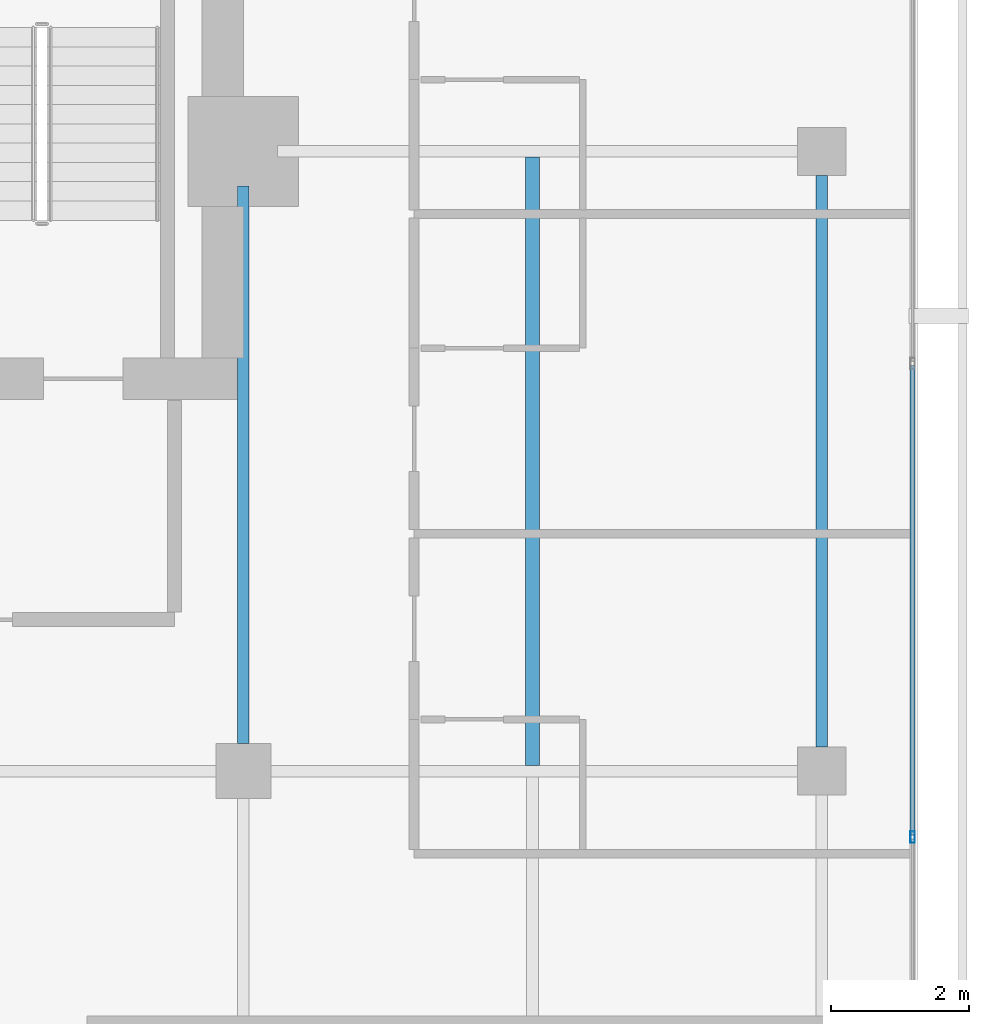
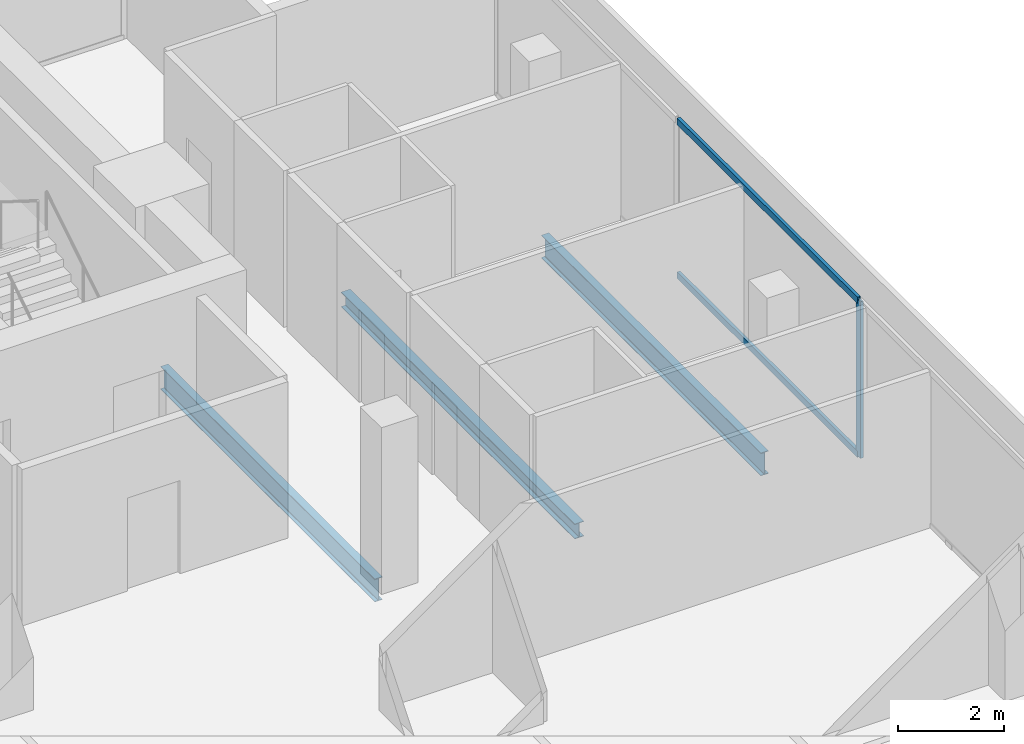
# One storey, part 15 of 26: 3 beams, 3 members, 1 element without a shape of its own.
"""IFC4 building model written with IfcOpenShell, lengths in metres."""

from ifc_helpers import new_model, si_unit, direction, frame, origin, origin_2d, place, context, subcontext, project, spatial, hollow_rectangle, i_section, extrude, material, layer, layer_set, material_profile, profile_set, type_object, element, aggregate, save


model = new_model("IFC4")

# Units and contexts
model_context = context("Model", 3, precision=1e-05, world=origin(), true_north=direction((0.0, 1.0)))
body_context = subcontext(model_context, "Body", "Model", "MODEL_VIEW")
ifc_project = project(units=[si_unit("LENGTHUNIT", "METRE"), si_unit("AREAUNIT", "SQUARE_METRE"), si_unit("VOLUMEUNIT", "CUBIC_METRE"), si_unit("PLANEANGLEUNIT", "RADIAN"), si_unit("MASSUNIT", "GRAM", prefix="KILO")], contexts=[model_context])

# Site, building, storey
site_placement = place(None, origin())
site = spatial("IfcSite", under=ifc_project, at=site_placement, CompositionType="ELEMENT")
building_placement = place(site_placement, origin())
building = spatial("IfcBuilding", under=site, at=building_placement, Name="Maruvema Waterfront Hotel and Observation Tower", CompositionType="ELEMENT")
storey_placement = place(building_placement, frame((0.0, 0.0, 293.300048828125)))
storey = spatial("IfcBuildingStorey", under=building, at=storey_placement, Name="L72", CompositionType="ELEMENT", Elevation=293.300048828125)

# Curtain wall, members
ifc_material_1 = material(Name="Anodised bronze aluminium and solar-control low-E IGU", Category="aluminium")
ifc_layer = layer(ifc_material_1, 0.159912109375, Name="Zone 3 Champagne Inner Thermal Curtain Wall System CW-04")
ifc_layer_set = layer_set([ifc_layer], Name="Anodised bronze aluminium and solar-control low-E IGU")
curtain_wall_type = type_object("IfcCurtainWallType", Name="Zone 3 Champagne Inner Thermal Curtain Wall System CW-04", PredefinedType="USERDEFINED", material=ifc_layer_set)
curtain_wall_placement = place(storey_placement, origin())
curtain_wall = element("IfcCurtainWall", 1, at=curtain_wall_placement, inside=storey, type_object=curtain_wall_type, Name="L72 Curtain Wall CW-L72-E", ObjectType="UNITISED CURTAIN WALL", PredefinedType="USERDEFINED")
ifc_material_2 = material(Name="Anodised architectural bronze aluminium", Category="aluminium")
ifc_material_profile_1 = material_profile(ifc_material_2, hollow_rectangle(XDim=0.070068359375, YDim=0.14990234375, WallThickness=0.00390625, at=origin_2d()), Name="ALU-T70x150")
ifc_profile_set_1 = profile_set([ifc_material_profile_1], Name="Anodised architectural bronze aluminium")
member_type_1 = type_object("IfcMemberType", Name="Curtain Wall Horizontal Transom ALU-T70x150", PredefinedType="USERDEFINED", material=ifc_profile_set_1)
member_1_placement = place(storey_placement, frame((60.1201171875, 35.070068359375, 0.030029296875), z_axis=(0.0, 1.0, 0.0), x_axis=(-1.0, 0.0, 0.0)))
member_1 = element("IfcMember", 2, at=member_1_placement, type_object=member_type_1, Name="CW-04 transom 4.1", ObjectType="TRANSOM", PredefinedType="USERDEFINED", context=body_context, shape_type="SweptSolid", body=[
    extrude(hollow_rectangle(XDim=0.070068359375, YDim=0.14990234375, WallThickness=0.00390625, at=origin_2d()), origin(), (0.0, 0.0, 1.0), 6.81982421875),
])
member_2_placement = place(storey_placement, frame((60.1201171875, 35.070068359375, 3.579833984375), z_axis=(0.0, 1.0, 0.0), x_axis=(-1.0, 0.0, 0.0)))
member_2 = element("IfcMember", 3, at=member_2_placement, type_object=member_type_1, Name="CW-04 transom 4.2", ObjectType="TRANSOM", PredefinedType="USERDEFINED", context=body_context, shape_type="SweptSolid", body=[
    extrude(hollow_rectangle(XDim=0.070068359375, YDim=0.14990234375, WallThickness=0.00390625, at=origin_2d()), origin(), (0.0, 0.0, 1.0), 6.81982421875),
])
ifc_material_3 = material(Name="Anodised architectural bronze aluminium", Category="aluminium")
ifc_material_profile_2 = material_profile(ifc_material_3, hollow_rectangle(XDim=0.06494140625, YDim=0.1650390625, WallThickness=0.00390625, at=origin_2d()), Name="ALU-M65x165")
ifc_profile_set_2 = profile_set([ifc_material_profile_2], Name="Anodised architectural bronze aluminium")
member_type_2 = type_object("IfcMemberType", Name="Curtain Wall Primary Mullion ALU-M65x165", PredefinedType="MULLION", material=ifc_profile_set_2)
member_3_placement = place(storey_placement, frame((60.1201171875, 35.0400390625, 0.0), z_axis=(0.0, 0.0, 1.0), x_axis=(-1.0, 0.0, 0.0)))
member_3 = element("IfcMember", 4, at=member_3_placement, type_object=member_type_2, Name="CW-04 mullion 4", PredefinedType="MULLION", context=body_context, shape_type="SweptSolid", body=[
    extrude(hollow_rectangle(XDim=0.06494140625, YDim=0.1650390625, WallThickness=0.00390625, at=origin_2d()), origin(), (0.0, 0.0, 1.0), 3.60986328125),
])
aggregate(curtain_wall, [member_3, member_1, member_2])

# Beams
ifc_material_4 = material(Name="Steel ASTM A572 Grade 50", Category="steel")
ifc_material_profile_3 = material_profile(ifc_material_4, i_section(OverallWidth=0.166015625, OverallDepth=0.529052734375, WebThickness=0.009765625, FlangeThickness=0.013671875, FilletRadius=0.014892578125, at=origin_2d()), Name="W530x74.0")
ifc_profile_set_3 = profile_set([ifc_material_profile_3], Name="Steel ASTM A572 Grade 50")
beam_type_1 = type_object("IfcBeamType", Name="Primary Floor Girder W530x74.0", PredefinedType="BEAM", material=ifc_profile_set_3)
beam_1_placement = place(storey_placement, frame((50.39990234375, 36.39990234375, -0.504638671875), z_axis=(0.0, 1.0, 0.0), x_axis=(-1.0, 0.0, 0.0)))
element("IfcBeam", 5, at=beam_1_placement, inside=storey, type_object=beam_type_1, Name="L72 Floor Girder NS-15", PredefinedType="BEAM", context=body_context, shape_type="SweptSolid", body=[
    extrude(i_section(OverallWidth=0.166015625, OverallDepth=0.529052734375, WebThickness=0.009765625, FlangeThickness=0.013671875, FilletRadius=0.014892578125, at=origin_2d()), origin(), (0.0, 0.0, 1.0), 8.10009765625),
])
beam_2_placement = place(storey_placement, frame((58.800048828125, 36.35009765625, -0.504638671875), z_axis=(0.0, 1.0, 0.0), x_axis=(-1.0, 0.0, 0.0)))
element("IfcBeam", 6, at=beam_2_placement, inside=storey, type_object=beam_type_1, Name="L72 Floor Girder NS-18", PredefinedType="BEAM", context=body_context, shape_type="SweptSolid", body=[
    extrude(i_section(OverallWidth=0.166015625, OverallDepth=0.529052734375, WebThickness=0.009765625, FlangeThickness=0.013671875, FilletRadius=0.014892578125, at=origin_2d()), origin(), (0.0, 0.0, 1.0), 8.2998046875),
])
ifc_material_5 = material(Name="Steel ASTM A572 Grade 50", Category="steel")
ifc_material_profile_4 = material_profile(ifc_material_5, i_section(OverallWidth=0.202880859375, OverallDepth=0.346923828125, WebThickness=0.0078125, FlangeThickness=0.013427734375, FilletRadius=0.014892578125, at=origin_2d()), Name="W360x64.0")
ifc_profile_set_4 = profile_set([ifc_material_profile_4], Name="Steel ASTM A572 Grade 50")
beam_type_2 = type_object("IfcBeamType", Name="Secondary Floor Joist W360x64.0", PredefinedType="JOIST", material=ifc_profile_set_4)
beam_3_placement = place(storey_placement, frame((54.60009765625, 36.0830078125, -0.41357421875), z_axis=(0.0, 1.0, 0.0), x_axis=(-1.0, 0.0, 0.0)))
element("IfcBeam", 7, at=beam_3_placement, inside=storey, type_object=beam_type_2, Name="L72 Secondary Floor Joist JS-09", PredefinedType="JOIST", context=body_context, shape_type="SweptSolid", body=[
    extrude(i_section(OverallWidth=0.202880859375, OverallDepth=0.346923828125, WebThickness=0.0078125, FlangeThickness=0.013427734375, FilletRadius=0.014892578125, at=origin_2d()), origin(), (0.0, 0.0, 1.0), 8.833984375),
])

save(model, "model.ifc")
